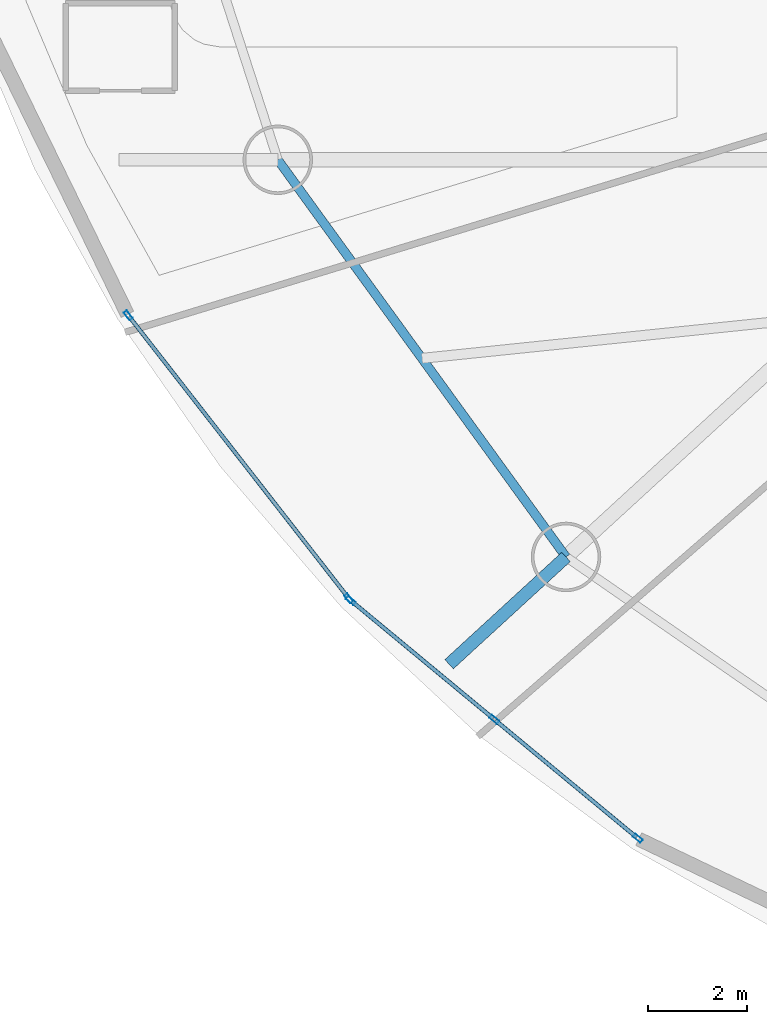
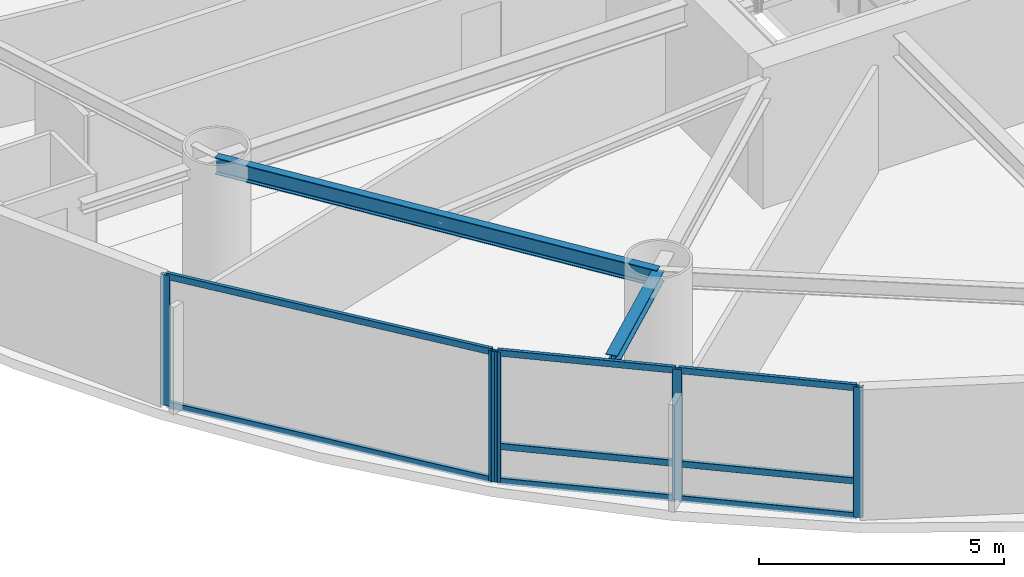
# One storey, part 2 of 20: 13 members, 2 beams, 2 elements without a shape of their own.
"""IFC4 building model written with IfcOpenShell, lengths in metres."""

import ifcopenshell
import ifcopenshell.guid

model = None  # the IFC model being written
_history = None  # IfcOwnerHistory: only IFC2X3 demands one
_inside = {}  # id of a spatial element -> (the spatial element, [elements in it])
_under = {}  # id of a project, library or spatial element -> (it, [spatial elements below it])
_declared = {}  # id of a project -> (the project, [libraries it declares])
_typed = {}  # id of a type object -> (the type object, [elements of that type])
_made_of = {}  # id of a material, layer set ... -> (it, [elements and type objects made of it])


def new_model(schema):
    """Start an empty IFC model of exactly this schema.

    Asked for "IFC4X3", IfcOpenShell would pick the latest addendum, in which some entities
    have other attributes; the version numbers below select the first issue.
    IFC2X3 requires an IfcOwnerHistory on every rooted entity: one is made here for all.
    """
    global model, _history
    if schema == "IFC4X3":
        model = ifcopenshell.file(schema_version=(4, 3, 0, 0))
    else:
        model = ifcopenshell.file(schema=schema)
    _inside.clear()
    _under.clear()
    _declared.clear()
    _typed.clear()
    _made_of.clear()
    _history = None
    if model.schema == "IFC2X3":
        org = make("IfcOrganization", Name="unknown")
        user = make(
            "IfcPersonAndOrganization",
            ThePerson=make("IfcPerson", FamilyName="unknown"),
            TheOrganization=org,
        )
        app = make(
            "IfcApplication",
            ApplicationDeveloper=org,
            Version="unknown",
            ApplicationFullName="unknown",
            ApplicationIdentifier="unknown",
        )
        _history = make(
            "IfcOwnerHistory",
            OwningUser=user,
            OwningApplication=app,
            ChangeAction="ADDED",
            CreationDate=0,
        )
    return model


def make(cls, **values):
    """One entity of the class cls with the attributes given. An attribute that is None is left unset."""
    return model.create_entity(
        cls, **{name: value for name, value in values.items() if value is not None}
    )


def rooted(cls, **values):
    """An entity with a GlobalId (a new one), such as an element, a storey or a relation."""
    return make(cls, GlobalId=ifcopenshell.guid.new(), OwnerHistory=_history, **values)


def si_unit(unit_type, name, prefix=None):
    """IfcSIUnit, for example si_unit("LENGTHUNIT", "METRE", prefix="MILLI")."""
    return make("IfcSIUnit", UnitType=unit_type, Prefix=prefix, Name=name)


def assignment(units):
    """IfcUnitAssignment: the units of a project."""
    return None if units is None else make("IfcUnitAssignment", Units=units)


def point(xyz):
    """IfcCartesianPoint."""
    return None if xyz is None else make("IfcCartesianPoint", Coordinates=xyz)


def direction(xyz):
    """IfcDirection."""
    return None if xyz is None else make("IfcDirection", DirectionRatios=xyz)


def frame(location, z_axis=None, x_axis=None):
    """IfcAxis2Placement3D, a coordinate frame: its origin and axes. An axis left out is left unset."""
    return make(
        "IfcAxis2Placement3D",
        Location=point(location),
        Axis=direction(z_axis),
        RefDirection=direction(x_axis),
    )


def frame_2d(location, x_axis=None):
    """IfcAxis2Placement2D, a coordinate frame in the plane: its origin and x axis."""
    return make(
        "IfcAxis2Placement2D", Location=point(location), RefDirection=direction(x_axis)
    )


def origin():
    """The frame at (0, 0, 0) with its axes left unset."""
    return frame((0.0, 0.0, 0.0))


def origin_2d():
    """The frame at (0, 0) in the plane with its x axis left unset."""
    return frame_2d((0.0, 0.0))


def place(relative_to, where):
    """IfcLocalPlacement: puts the frame where relative to a parent placement (None: the world)."""
    return make(
        "IfcLocalPlacement", PlacementRelTo=relative_to, RelativePlacement=where
    )


def context(
    kind, dimensions, precision=None, world=None, true_north=None, identifier=None
):
    """IfcGeometricRepresentationContext, for example the 3D "Model" context."""
    return make(
        "IfcGeometricRepresentationContext",
        ContextIdentifier=identifier,
        ContextType=kind,
        CoordinateSpaceDimension=dimensions,
        Precision=precision,
        WorldCoordinateSystem=world,
        TrueNorth=true_north,
    )


def subcontext(parent, identifier, kind, view, scale=None):
    """IfcGeometricRepresentationSubContext, for example "Body" below "Model"."""
    return make(
        "IfcGeometricRepresentationSubContext",
        ContextIdentifier=identifier,
        ContextType=kind,
        ParentContext=parent,
        TargetScale=scale,
        TargetView=view,
    )


def project(units=None, contexts=None):
    """IfcProject with its units and contexts."""
    return rooted(
        "IfcProject",
        Name="project",
        RepresentationContexts=contexts,
        UnitsInContext=assignment(units),
    )


def spatial(cls, under=None, at=None, **own):
    """A site, building, storey or space (cls), placed at a placement, below another one or the project."""
    s = rooted(cls, ObjectPlacement=at, **own)
    if under is not None:
        _under.setdefault(under.id(), (under, []))[1].append(s)
    return s


def profile(cls, at=None, kind="AREA", **sizes):
    """A parametric profile (cls). Its sizes go by their IFC names, for example OverallWidth=200.0."""
    return make(cls, ProfileType=kind, Position=at, **sizes)


def hollow_rectangle(**sizes):
    """IfcRectangleHollowProfileDef."""
    return profile("IfcRectangleHollowProfileDef", **sizes)


def i_section(**sizes):
    """IfcIShapeProfileDef."""
    return profile("IfcIShapeProfileDef", **sizes)


def extrude(swept, where, along, depth):
    """IfcExtrudedAreaSolid: the profile swept, set in the frame where, extruded along a direction by depth."""
    return make(
        "IfcExtrudedAreaSolid",
        SweptArea=swept,
        Position=where,
        ExtrudedDirection=direction(along),
        Depth=depth,
    )


def shape(context_of_items, identifier, shape_type, items):
    """IfcShapeRepresentation: the items that make up one representation, for example the "Body"."""
    return make(
        "IfcShapeRepresentation",
        ContextOfItems=context_of_items,
        RepresentationIdentifier=identifier,
        RepresentationType=shape_type,
        Items=items,
    )


def material(Name=None, Category=None):
    """IfcMaterial."""
    return make("IfcMaterial", Name=Name, Category=Category)


def layer(
    of_material, thickness, ventilated=None, Name=None, Category=None, Priority=None
):
    """IfcMaterialLayer: one layer of a wall or slab, of a material (None: an air gap)."""
    return make(
        "IfcMaterialLayer",
        Material=of_material,
        LayerThickness=thickness,
        IsVentilated=ventilated,
        Name=Name,
        Category=Category,
        Priority=Priority,
    )


def layer_set(layers, Name=None):
    """IfcMaterialLayerSet."""
    return make("IfcMaterialLayerSet", MaterialLayers=layers, LayerSetName=Name)


def material_profile(
    of_material, cross_section, Name=None, Category=None, Priority=None
):
    """IfcMaterialProfile: a cross section and its material."""
    return make(
        "IfcMaterialProfile",
        Name=Name,
        Material=of_material,
        Profile=cross_section,
        Priority=Priority,
        Category=Category,
    )


def profile_set(profiles, Name=None, composite=None):
    """IfcMaterialProfileSet."""
    return make(
        "IfcMaterialProfileSet",
        Name=Name,
        MaterialProfiles=profiles,
        CompositeProfile=composite,
    )


def made_of(thing, what):
    """Note that an element or type object is made of a material, layer set ...; save() writes the relation."""
    if what is not None:
        _made_of.setdefault(what.id(), (what, []))[1].append(thing)
    return thing


def type_object(cls, material=None, **own):
    """A type object (cls), such as IfcWallType, which elements share."""
    return made_of(rooted(cls, **own), material)


def element(
    cls,
    number,
    at=None,
    inside=None,
    cuts=None,
    type_object=None,
    material=None,
    context=None,
    identifier="Body",
    shape_type=None,
    held_by="IfcProductDefinitionShape",
    body=None,
    shapes=None,
    **own,
):
    """One element of the class cls, such as IfcWall. Its Tag is "e" and its number.

    at: its placement. inside: the storey or other place that contains it. cuts: it is an
    opening in that element (IfcRelVoidsElement). A single representation is given by context,
    identifier, shape_type and body (its items); several are given by shapes. held_by: the class
    of the entity that holds the representations. save() writes the other relations.
    """
    e = rooted(cls, Tag="e%d" % number, ObjectPlacement=at, **own)
    if body is not None:
        shapes = [shape(context, identifier, shape_type, body)]
    if shapes is not None:
        e.Representation = make(held_by, Representations=shapes)
    if inside is not None:
        _inside.setdefault(inside.id(), (inside, []))[1].append(e)
    if cuts is not None:
        rooted(
            "IfcRelVoidsElement", RelatingBuildingElement=cuts, RelatedOpeningElement=e
        )
    if type_object is not None:
        _typed.setdefault(type_object.id(), (type_object, []))[1].append(e)
    return made_of(e, material)


def aggregate(whole, parts):
    """IfcRelAggregates: a whole, such as a stair, and the parts it consists of."""
    return rooted("IfcRelAggregates", RelatingObject=whole, RelatedObjects=parts)


def save(model, path):
    """Write the relations noted so far, then the file.

    IfcRelAggregates (storeys below a building ...), IfcRelContainedInSpatialStructure (elements
    in a storey), IfcRelDefinesByType, IfcRelAssociatesMaterial and IfcRelDeclares: one each for
    every whole, place, type object, material and project.
    """
    for whole, parts in _under.values():
        aggregate(whole, parts)
    for where, things in _inside.values():
        rooted(
            "IfcRelContainedInSpatialStructure",
            RelatedElements=things,
            RelatingStructure=where,
        )
    for kind, things in _typed.values():
        rooted("IfcRelDefinesByType", RelatedObjects=things, RelatingType=kind)
    for what, things in _made_of.values():
        rooted("IfcRelAssociatesMaterial", RelatedObjects=things, RelatingMaterial=what)
    for by, libraries in _declared.values():
        rooted("IfcRelDeclares", RelatingContext=by, RelatedDefinitions=libraries)
    model.write(path)


model = new_model("IFC4")

# Units and contexts
model_context = context("Model", 3, precision=1e-05, world=origin(), true_north=direction((0.0, 1.0)))
body_context = subcontext(model_context, "Body", "Model", "MODEL_VIEW")
ifc_project = project(units=[si_unit("LENGTHUNIT", "METRE"), si_unit("AREAUNIT", "SQUARE_METRE"), si_unit("VOLUMEUNIT", "CUBIC_METRE"), si_unit("PLANEANGLEUNIT", "RADIAN"), si_unit("MASSUNIT", "GRAM", prefix="KILO")], contexts=[model_context])

# Site, building, storey
site_placement = place(None, origin())
site = spatial("IfcSite", under=ifc_project, at=site_placement, CompositionType="ELEMENT")
building_placement = place(site_placement, origin())
building = spatial("IfcBuilding", under=site, at=building_placement, Name="Bramvorn Convention Spire", CompositionType="ELEMENT")
storey_placement = place(building_placement, frame((0.0, 0.0, 106.300048828125)))
storey = spatial("IfcBuildingStorey", under=building, at=storey_placement, Name="L25", CompositionType="ELEMENT", Elevation=106.300048828125)

# Beams
ifc_material_1 = material(Name="Steel CSA G40.21 Grade 350 (350W)", Category="steel")
ifc_material_profile_1 = material_profile(ifc_material_1, i_section(OverallWidth=0.25390625, OverallDepth=0.2529296875, WebThickness=0.008544921875, FlangeThickness=0.01416015625, FilletRadius=0.011962890625, at=origin_2d()))
ifc_profile_set_1 = profile_set([ifc_material_profile_1], Name="Steel CSA G40.21 Grade 350 (350W) - W250X73")
beam_type_1 = type_object("IfcBeamType", Name="BM-W250X73", PredefinedType="BEAM", material=ifc_profile_set_1)
beam_1_placement = place(storey_placement, frame((21.465087890625, 13.700927734375, 3.1083984375), z_axis=(-0.736821501531, -0.676087327852, 0.0), x_axis=(0.676087327852, -0.736821501531, 0.0)))
element("IfcBeam", 1, at=beam_1_placement, inside=storey, type_object=beam_type_1, Name="L25 slab-edge cantilever tip beam MC12", PredefinedType="BEAM", context=body_context, shape_type="SweptSolid", body=[
    extrude(i_section(OverallWidth=0.25390625, OverallDepth=0.2529296875, WebThickness=0.008544921875, FlangeThickness=0.01416015625, FilletRadius=0.011962890625, at=origin_2d()), origin(), (0.0, 0.0, 1.0), 3.19970703125),
])
ifc_material_profile_2 = material_profile(ifc_material_1, i_section(OverallWidth=0.180908203125, OverallDepth=0.4169921875, WebThickness=0.010986328125, FlangeThickness=0.018310546875, FilletRadius=0.01611328125, at=origin_2d()))
ifc_profile_set_2 = profile_set([ifc_material_profile_2], Name="Steel CSA G40.21 Grade 350 (350W) - W410X85")
beam_type_2 = type_object("IfcBeamType", Name="BM-W410X85", PredefinedType="JOIST", material=ifc_profile_set_2)
beam_2_placement = place(storey_placement, frame((15.654296875, 21.706787109375, 3.051513671875), z_axis=(0.587401024629, -0.809296012757, 0.0), x_axis=(0.809296012757, 0.587401024629, 0.0)))
element("IfcBeam", 2, at=beam_2_placement, inside=storey, type_object=beam_type_2, Name="L25 mega-column ring beam 11", PredefinedType="JOIST", context=body_context, shape_type="SweptSolid", body=[
    extrude(i_section(OverallWidth=0.180908203125, OverallDepth=0.4169921875, WebThickness=0.010986328125, FlangeThickness=0.018310546875, FilletRadius=0.01611328125, at=origin_2d()), origin(), (0.0, 0.0, 1.0), 9.892333984375),
])

# Curtain wall, members
ifc_material_2 = material(Name="Anodised Bronze Unitised Curtain Wall", Category="aluminium")
ifc_layer = layer(ifc_material_2, 0.179931640625)
ifc_layer_set = layer_set([ifc_layer], Name="Anodised Bronze Unitised Curtain Wall - CW-HTL-FRIT")
curtain_wall_type = type_object("IfcCurtainWallType", Name="CW-HTL-FRIT", PredefinedType="USERDEFINED", material=ifc_layer_set)
curtain_wall_1_placement = place(storey_placement, origin())
curtain_wall_1 = element("IfcCurtainWall", 3, at=curtain_wall_1_placement, inside=storey, type_object=curtain_wall_type, Name="L25 fritted glass curtain wall 16", ObjectType="UNITISED CURTAIN WALL", PredefinedType="USERDEFINED")
ifc_material_3 = material(Name="Anodised Bronze Aluminium 6063-T6", Category="aluminium")
ifc_material_profile_3 = material_profile(ifc_material_3, hollow_rectangle(XDim=0.080078125, YDim=0.199951171875, WallThickness=0.00390625, InnerFilletRadius=0.0009765625, OuterFilletRadius=0.00390625, at=origin_2d()))
ifc_profile_set_3 = profile_set([ifc_material_profile_3], Name="Anodised Bronze Aluminium 6063-T6 - CWM80X200")
member_type_1 = type_object("IfcMemberType", Name="CW-MUL-180", PredefinedType="MULLION", material=ifc_profile_set_3)
member_1_placement = place(storey_placement, frame((17.0859375, 12.864501953125, 0.0), z_axis=(0.0, 0.0, 1.0), x_axis=(-0.78882541758, -0.614617328571, 0.0)))
member_1 = element("IfcMember", 4, at=member_1_placement, type_object=member_type_1, Name="CW2 mullion 1", PredefinedType="MULLION", context=body_context, shape_type="SweptSolid", body=[
    extrude(hollow_rectangle(XDim=0.080078125, YDim=0.199951171875, WallThickness=0.00390625, InnerFilletRadius=0.0009765625, OuterFilletRadius=0.00390625, at=origin_2d()), origin(), (0.0, 0.0, 1.0), 3.260009765625),
])
member_2_placement = place(storey_placement, frame((12.64111328125, 18.569091796875, 0.0), z_axis=(0.0, 0.0, 1.0), x_axis=(-0.78882541758, -0.614617328571, 0.0)))
member_2 = element("IfcMember", 5, at=member_2_placement, type_object=member_type_1, Name="CW2 mullion 2", PredefinedType="MULLION", context=body_context, shape_type="SweptSolid", body=[
    extrude(hollow_rectangle(XDim=0.080078125, YDim=0.199951171875, WallThickness=0.00390625, InnerFilletRadius=0.0009765625, OuterFilletRadius=0.00390625, at=origin_2d()), origin(), (0.0, 0.0, 1.0), 3.260009765625),
])

curtain_wall_2_placement = place(storey_placement, origin())
curtain_wall_2 = element("IfcCurtainWall", 6, at=curtain_wall_2_placement, inside=storey, type_object=curtain_wall_type, Name="L25 fritted glass curtain wall 17", ObjectType="UNITISED CURTAIN WALL", PredefinedType="USERDEFINED")
member_3_placement = place(storey_placement, frame((22.9091796875, 8.030029296875, 0.0), z_axis=(0.0, 0.0, 1.0), x_axis=(-0.63808724472, -0.769964069373, 0.0)))
member_3 = element("IfcMember", 7, at=member_3_placement, type_object=member_type_1, Name="CW2 mullion 1", PredefinedType="MULLION", context=body_context, shape_type="SweptSolid", body=[
    extrude(hollow_rectangle(XDim=0.080078125, YDim=0.199951171875, WallThickness=0.00390625, InnerFilletRadius=0.0009765625, OuterFilletRadius=0.00390625, at=origin_2d()), origin(), (0.0, 0.0, 1.0), 3.260009765625),
])
member_4_placement = place(storey_placement, frame((20.018310546875, 10.42578125, 0.0), z_axis=(0.0, 0.0, 1.0), x_axis=(-0.63808724472, -0.769964069373, 0.0)))
member_4 = element("IfcMember", 8, at=member_4_placement, type_object=member_type_1, Name="CW2 mullion 2", PredefinedType="MULLION", context=body_context, shape_type="SweptSolid", body=[
    extrude(hollow_rectangle(XDim=0.080078125, YDim=0.199951171875, WallThickness=0.00390625, InnerFilletRadius=0.0009765625, OuterFilletRadius=0.00390625, at=origin_2d()), origin(), (0.0, 0.0, 1.0), 3.260009765625),
])
member_5_placement = place(storey_placement, frame((17.12744140625, 12.82177734375, 0.0), z_axis=(0.0, 0.0, 1.0), x_axis=(-0.63808724472, -0.769964069373, 0.0)))
member_5 = element("IfcMember", 9, at=member_5_placement, type_object=member_type_1, Name="CW2 mullion 3", PredefinedType="MULLION", context=body_context, shape_type="SweptSolid", body=[
    extrude(hollow_rectangle(XDim=0.080078125, YDim=0.199951171875, WallThickness=0.00390625, InnerFilletRadius=0.0009765625, OuterFilletRadius=0.00390625, at=origin_2d()), origin(), (0.0, 0.0, 1.0), 3.260009765625),
])

# Member
ifc_material_profile_4 = material_profile(ifc_material_3, hollow_rectangle(XDim=0.080078125, YDim=0.159912109375, WallThickness=0.00390625, InnerFilletRadius=0.0009765625, OuterFilletRadius=0.00390625, at=origin_2d()))
ifc_profile_set_4 = profile_set([ifc_material_profile_4], Name="Anodised Bronze Aluminium 6063-T6 - CWT80X160")
member_type_2 = type_object("IfcMemberType", Name="CW-TRN-150", PredefinedType="USERDEFINED", material=ifc_profile_set_4)
member_6_placement = place(storey_placement, frame((17.0673828125, 12.88818359375, 0.030029296875), z_axis=(-0.614626194803, 0.788818509331, 0.0), x_axis=(-0.788818509331, -0.614626194803, 0.0)))
member_6 = element("IfcMember", 10, at=member_6_placement, type_object=member_type_2, Name="CW2 transom 1.1", ObjectType="TRANSOM", PredefinedType="USERDEFINED", context=body_context, shape_type="SweptSolid", body=[
    extrude(hollow_rectangle(XDim=0.080078125, YDim=0.159912109375, WallThickness=0.00390625, InnerFilletRadius=0.0009765625, OuterFilletRadius=0.00390625, at=origin_2d()), origin(), (0.0, 0.0, 1.0), 7.171875),
])

member_7_placement = place(storey_placement, frame((17.0673828125, 12.88818359375, 3.22998046875), z_axis=(-0.614626194803, 0.788818509331, 0.0), x_axis=(-0.788818509331, -0.614626194803, 0.0)))
member_7 = element("IfcMember", 11, at=member_7_placement, type_object=member_type_2, Name="CW2 transom 1.2", ObjectType="TRANSOM", PredefinedType="USERDEFINED", context=body_context, shape_type="SweptSolid", body=[
    extrude(hollow_rectangle(XDim=0.080078125, YDim=0.159912109375, WallThickness=0.00390625, InnerFilletRadius=0.0009765625, OuterFilletRadius=0.00390625, at=origin_2d()), origin(), (0.0, 0.0, 1.0), 7.171875),
])

aggregate(curtain_wall_1, [member_1, member_2, member_6, member_7])

member_8_placement = place(storey_placement, frame((22.885986328125, 8.04931640625, 0.030029296875), z_axis=(-0.769946419232, 0.638108542108, 0.0), x_axis=(-0.638108542108, -0.769946419232, 0.0)))
member_8 = element("IfcMember", 12, at=member_8_placement, type_object=member_type_2, Name="CW2 transom 1.1", ObjectType="TRANSOM", PredefinedType="USERDEFINED", context=body_context, shape_type="SweptSolid", body=[
    extrude(hollow_rectangle(XDim=0.080078125, YDim=0.159912109375, WallThickness=0.00390625, InnerFilletRadius=0.0009765625, OuterFilletRadius=0.00390625, at=origin_2d()), origin(), (0.0, 0.0, 1.0), 3.6943359375),
])

member_9_placement = place(storey_placement, frame((22.885986328125, 8.04931640625, 0.89990234375), z_axis=(-0.769946419232, 0.638108542108, 0.0), x_axis=(-0.638108542108, -0.769946419232, 0.0)))
member_9 = element("IfcMember", 13, at=member_9_placement, type_object=member_type_2, Name="CW2 transom 1.2", ObjectType="TRANSOM", PredefinedType="USERDEFINED", context=body_context, shape_type="SweptSolid", body=[
    extrude(hollow_rectangle(XDim=0.080078125, YDim=0.159912109375, WallThickness=0.00390625, InnerFilletRadius=0.0009765625, OuterFilletRadius=0.00390625, at=origin_2d()), origin(), (0.0, 0.0, 1.0), 3.6943359375),
])

member_10_placement = place(storey_placement, frame((22.885986328125, 8.04931640625, 3.22998046875), z_axis=(-0.769946419232, 0.638108542108, 0.0), x_axis=(-0.638108542108, -0.769946419232, 0.0)))
member_10 = element("IfcMember", 14, at=member_10_placement, type_object=member_type_2, Name="CW2 transom 1.3", ObjectType="TRANSOM", PredefinedType="USERDEFINED", context=body_context, shape_type="SweptSolid", body=[
    extrude(hollow_rectangle(XDim=0.080078125, YDim=0.159912109375, WallThickness=0.00390625, InnerFilletRadius=0.0009765625, OuterFilletRadius=0.00390625, at=origin_2d()), origin(), (0.0, 0.0, 1.0), 3.6943359375),
])

member_11_placement = place(storey_placement, frame((19.9951171875, 10.445068359375, 0.030029296875), z_axis=(-0.769973325488, 0.63807607543, 0.0), x_axis=(-0.63807607543, -0.769973325488, 0.0)))
member_11 = element("IfcMember", 15, at=member_11_placement, type_object=member_type_2, Name="CW2 transom 2.1", ObjectType="TRANSOM", PredefinedType="USERDEFINED", context=body_context, shape_type="SweptSolid", body=[
    extrude(hollow_rectangle(XDim=0.080078125, YDim=0.159912109375, WallThickness=0.00390625, InnerFilletRadius=0.0009765625, OuterFilletRadius=0.00390625, at=origin_2d()), origin(), (0.0, 0.0, 1.0), 3.694580078125),
])

member_12_placement = place(storey_placement, frame((19.9951171875, 10.445068359375, 0.89990234375), z_axis=(-0.769973325488, 0.63807607543, 0.0), x_axis=(-0.63807607543, -0.769973325488, 0.0)))
member_12 = element("IfcMember", 16, at=member_12_placement, type_object=member_type_2, Name="CW2 transom 2.2", ObjectType="TRANSOM", PredefinedType="USERDEFINED", context=body_context, shape_type="SweptSolid", body=[
    extrude(hollow_rectangle(XDim=0.080078125, YDim=0.159912109375, WallThickness=0.00390625, InnerFilletRadius=0.0009765625, OuterFilletRadius=0.00390625, at=origin_2d()), origin(), (0.0, 0.0, 1.0), 3.694580078125),
])

member_13_placement = place(storey_placement, frame((19.9951171875, 10.445068359375, 3.22998046875), z_axis=(-0.769973325488, 0.63807607543, 0.0), x_axis=(-0.63807607543, -0.769973325488, 0.0)))
member_13 = element("IfcMember", 17, at=member_13_placement, type_object=member_type_2, Name="CW2 transom 2.3", ObjectType="TRANSOM", PredefinedType="USERDEFINED", context=body_context, shape_type="SweptSolid", body=[
    extrude(hollow_rectangle(XDim=0.080078125, YDim=0.159912109375, WallThickness=0.00390625, InnerFilletRadius=0.0009765625, OuterFilletRadius=0.00390625, at=origin_2d()), origin(), (0.0, 0.0, 1.0), 3.694580078125),
])

aggregate(curtain_wall_2, [member_3, member_4, member_5, member_8, member_9, member_10, member_11, member_12, member_13])

save(model, "model.ifc")
